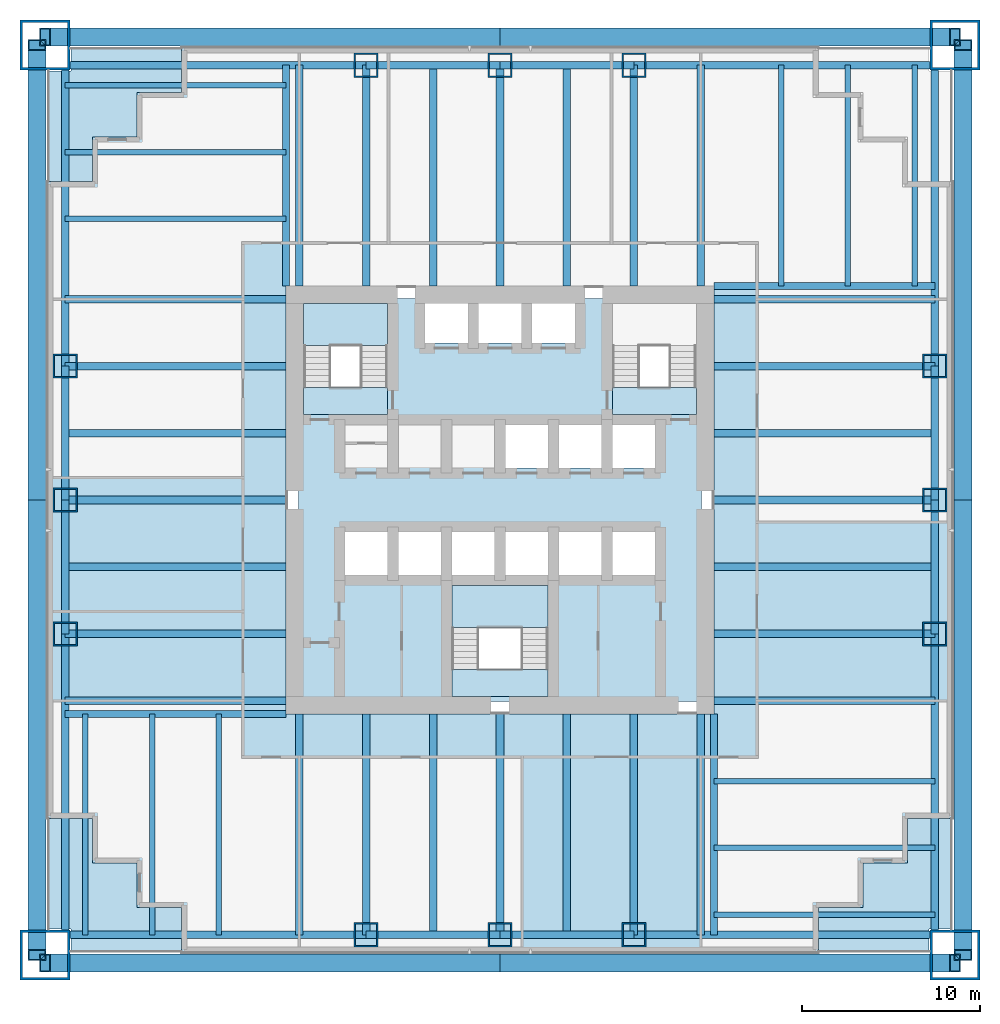
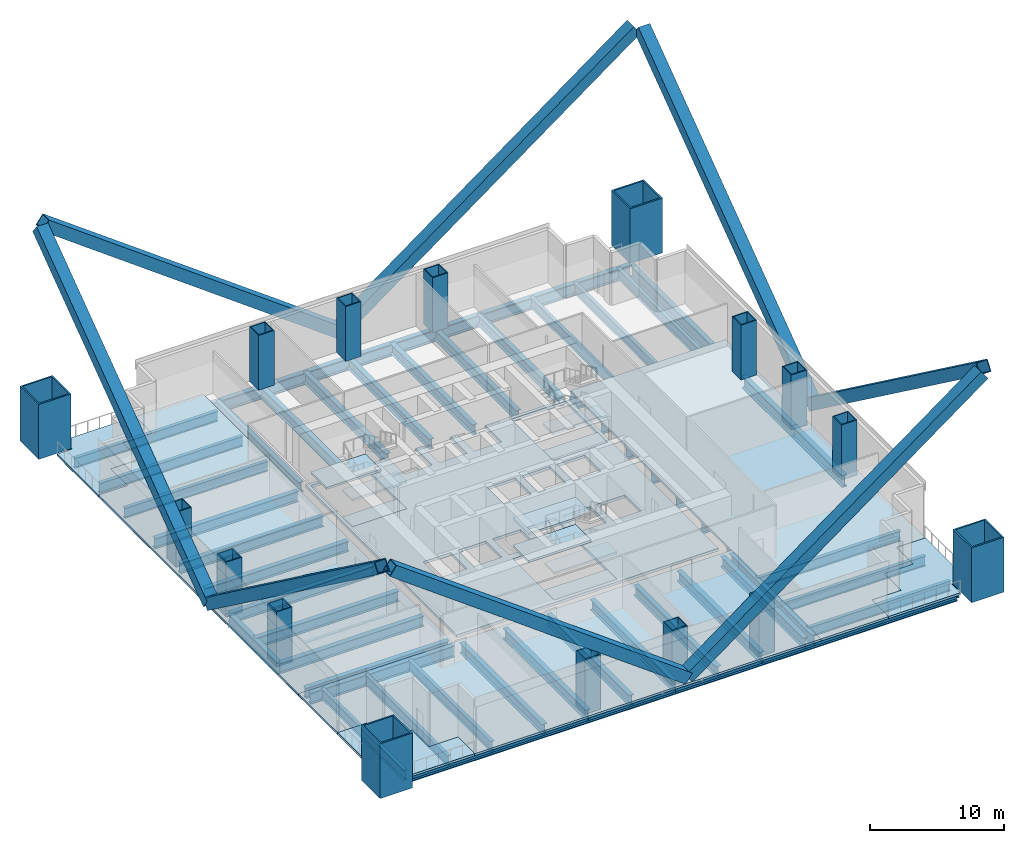
# One storey, part 1 of 7: 60 beams, 16 columns, 16 slabs, 8 members, 3 elements without a shape of their own.
"""IFC4 building model written with IfcOpenShell, lengths in metres."""

from ifc_helpers import new_model, si_unit, direction, frame, origin, origin_2d, place, context, subcontext, project, spatial, polyline, hollow_rectangle, i_section, outline, extrude, material, layer, layer_set, material_profile, profile_set, type_object, element, aggregate, save


model = new_model("IFC4")

# Units and contexts
model_context = context("Model", 3, precision=1e-05, world=origin(), true_north=direction((0.0, 1.0)))
body_context = subcontext(model_context, "Body", "Model", "MODEL_VIEW")
ifc_project = project(units=[si_unit("LENGTHUNIT", "METRE"), si_unit("AREAUNIT", "SQUARE_METRE"), si_unit("VOLUMEUNIT", "CUBIC_METRE"), si_unit("PLANEANGLEUNIT", "RADIAN"), si_unit("MASSUNIT", "GRAM", prefix="KILO")], contexts=[model_context])

# Site, building, storey
site_placement = place(None, origin())
site = spatial("IfcSite", under=ifc_project, at=site_placement, CompositionType="ELEMENT")
building_placement = place(site_placement, origin())
building = spatial("IfcBuilding", under=site, at=building_placement, Name="Tarangal Relay Tower", CompositionType="ELEMENT")
storey_placement = place(building_placement, frame((0.0, 0.0, 78.39990234375)))
storey = spatial("IfcBuildingStorey", under=building, at=storey_placement, Name="L15", CompositionType="ELEMENT", Elevation=78.39990234375)

# Columns
ifc_material_1 = material(Name="Steel ASTM A572 Grade 42", Category="steel")
ifc_material_profile_1 = material_profile(ifc_material_1, hollow_rectangle(XDim=2.800048828125, YDim=2.800048828125, WallThickness=0.139892578125, at=origin_2d()), Name="BOX2800X2800X140")
ifc_profile_set_1 = profile_set([ifc_material_profile_1], Name="Steel ASTM A572 Grade 42")
column_type_1 = type_object("IfcColumnType", Name="Mega column BOX2800X2800X140", PredefinedType="COLUMN", material=ifc_profile_set_1)
for number, where, z_axis, x_axis, name in (
    (1, (25.5, 25.5, 0.0), (0.0, 0.0, 1.0), (1.0, 0.0, 0.0), "Mega column MC1 NE L15"),
    (2, (25.5, -25.5, 0.0), (0.0, 0.0, 1.0), (1.0, 0.0, 0.0), "Mega column MC1 SE L15"),
    (3, (-25.5, -25.5, 0.0), (0.0, 0.0, 1.0), (1.0, 0.0, 0.0), "Mega column MC1 SW L15"),
    (4, (-25.5, 25.5, 0.0), (0.0, 0.0, 1.0), (1.0, 0.0, 0.0), "Mega column MC1 NW L15"),
):
    element("IfcColumn", number, at=place(storey_placement, frame(where, z_axis=z_axis, x_axis=x_axis)), inside=storey, type_object=column_type_1, Name=name, PredefinedType="COLUMN", context=body_context, shape_type="SweptSolid", body=[
        extrude(hollow_rectangle(XDim=2.800048828125, YDim=2.800048828125, WallThickness=0.139892578125, at=origin_2d()), origin(), (0.0, 0.0, 1.0), 5.0),
    ])
ifc_material_2 = material(Name="Steel ASTM A572 Grade 50", Category="steel")
ifc_material_profile_2 = material_profile(ifc_material_2, hollow_rectangle(XDim=1.35009765625, YDim=1.35009765625, WallThickness=0.0849609375, at=origin_2d()), Name="BOX1350X1350X85")
ifc_profile_set_2 = profile_set([ifc_material_profile_2], Name="Steel ASTM A572 Grade 50")
column_type_2 = type_object("IfcColumnType", Name="Perimeter column BOX1350X1350X85", PredefinedType="COLUMN", material=ifc_profile_set_2)
for number, where, z_axis, x_axis, name in (
    (5, (-7.5, 24.364990234375, 0.0), (0.0, 0.0, 1.0), (1.0, 0.0, 0.0), "Perimeter column PC2 N L15"),
    (6, (0.0, 24.364990234375, 0.0), (0.0, 0.0, 1.0), (1.0, 0.0, 0.0), "Perimeter column PC2 N L15"),
    (7, (7.5, 24.364990234375, 0.0), (0.0, 0.0, 1.0), (1.0, 0.0, 0.0), "Perimeter column PC2 N L15"),
    (8, (24.364990234375, 7.5, 0.0), (0.0, 0.0, 1.0), (1.0, 0.0, 0.0), "Perimeter column PC2 E L15"),
    (9, (24.364990234375, 0.0, 0.0), (0.0, 0.0, 1.0), (1.0, 0.0, 0.0), "Perimeter column PC2 E L15"),
    (10, (24.364990234375, -7.5, 0.0), (0.0, 0.0, 1.0), (1.0, 0.0, 0.0), "Perimeter column PC2 E L15"),
    (11, (7.5, -24.364990234375, 0.0), (0.0, 0.0, 1.0), (1.0, 0.0, 0.0), "Perimeter column PC2 S L15"),
    (12, (0.0, -24.364990234375, 0.0), (0.0, 0.0, 1.0), (1.0, 0.0, 0.0), "Perimeter column PC2 S L15"),
    (13, (-7.5, -24.364990234375, 0.0), (0.0, 0.0, 1.0), (1.0, 0.0, 0.0), "Perimeter column PC2 S L15"),
    (14, (-24.364990234375, -7.5, 0.0), (0.0, 0.0, 1.0), (1.0, 0.0, 0.0), "Perimeter column PC2 W L15"),
    (15, (-24.364990234375, 0.0, 0.0), (0.0, 0.0, 1.0), (1.0, 0.0, 0.0), "Perimeter column PC2 W L15"),
    (16, (-24.364990234375, 7.5, 0.0), (0.0, 0.0, 1.0), (1.0, 0.0, 0.0), "Perimeter column PC2 W L15"),
):
    element("IfcColumn", number, at=place(storey_placement, frame(where, z_axis=z_axis, x_axis=x_axis)), inside=storey, type_object=column_type_2, Name=name, PredefinedType="COLUMN", context=body_context, shape_type="SweptSolid", body=[
        extrude(hollow_rectangle(XDim=1.35009765625, YDim=1.35009765625, WallThickness=0.0849609375, at=origin_2d()), origin(), (0.0, 0.0, 1.0), 5.0),
    ])

# Beams
ifc_material_3 = material(Name="Steel ASTM A992", Category="steel")
ifc_material_profile_3 = material_profile(ifc_material_3, i_section(OverallWidth=0.307373046875, OverallDepth=0.927001953125, WebThickness=0.019287109375, FlangeThickness=0.031982421875, at=origin_2d()), Name="W36X194")
ifc_profile_set_3 = profile_set([ifc_material_profile_3], Name="Steel ASTM A992")
beam_type_1 = type_object("IfcBeamType", Name="Corner beam W36X194", PredefinedType="JOIST", material=ifc_profile_set_3)
for number, where, z_axis, x_axis, name in (
    (17, (15.75, 12.0, -0.663330078125), (0.0, 1.0, 0.0), (-1.0, 0.0, 0.0), "Corner beam CB10 N L15"),
    (18, (19.5, 12.0, -0.663330078125), (0.0, 1.0, 0.0), (-1.0, 0.0, 0.0), "Corner beam CB10 N L15"),
    (19, (23.25, 12.0, -0.663330078125), (0.0, 1.0, 0.0), (-1.0, 0.0, 0.0), "Corner beam CB10 N L15"),
    (20, (12.0, -15.75, -0.663330078125), (1.0, 0.0, 0.0), (0.0, 1.0, 0.0), "Corner beam CB10 E L15"),
    (21, (12.0, -19.5, -0.663330078125), (1.0, 0.0, 0.0), (0.0, 1.0, 0.0), "Corner beam CB10 E L15"),
    (22, (12.0, -23.25, -0.663330078125), (1.0, 0.0, 0.0), (0.0, 1.0, 0.0), "Corner beam CB10 E L15"),
    (23, (-15.75, -12.0, -0.663330078125), (0.0, -1.0, 0.0), (1.0, 0.0, 0.0), "Corner beam CB10 S L15"),
    (24, (-19.5, -12.0, -0.663330078125), (0.0, -1.0, 0.0), (1.0, 0.0, 0.0), "Corner beam CB10 S L15"),
    (25, (-23.25, -12.0, -0.663330078125), (0.0, -1.0, 0.0), (1.0, 0.0, 0.0), "Corner beam CB10 S L15"),
    (26, (-12.0, 15.75, -0.663330078125), (-1.0, 0.0, 0.0), (0.0, -1.0, 0.0), "Corner beam CB10 W L15"),
    (27, (-12.0, 19.5, -0.663330078125), (-1.0, 0.0, 0.0), (0.0, -1.0, 0.0), "Corner beam CB10 W L15"),
    (28, (-12.0, 23.25, -0.663330078125), (-1.0, 0.0, 0.0), (0.0, -1.0, 0.0), "Corner beam CB10 W L15"),
):
    element("IfcBeam", number, at=place(storey_placement, frame(where, z_axis=z_axis, x_axis=x_axis)), inside=storey, type_object=beam_type_1, Name=name, PredefinedType="JOIST", context=body_context, shape_type="SweptSolid", body=[
        extrude(i_section(OverallWidth=0.307373046875, OverallDepth=0.927001953125, WebThickness=0.019287109375, FlangeThickness=0.031982421875, at=origin_2d()), origin(), (0.0, 0.0, 1.0), 12.364990234375),
    ])
ifc_material_profile_4 = material_profile(ifc_material_3, i_section(OverallWidth=0.40380859375, OverallDepth=1.036376953125, WebThickness=0.031005859375, FlangeThickness=0.0458984375, at=origin_2d()), Name="W40X331")
ifc_profile_set_4 = profile_set([ifc_material_profile_4], Name="Steel ASTM A992")
beam_type_2 = type_object("IfcBeamType", Name="Corner girder W40X331", PredefinedType="BEAM", material=ifc_profile_set_4)
for number, where, z_axis, x_axis, name in (
    (29, (12.0, 12.0, -0.718017578125), (1.0, 0.0, 0.0), (0.0, 1.0, 0.0), "Corner girder CG2 N L15"),
    (30, (12.0, -12.0, -0.718017578125), (0.0, -1.0, 0.0), (1.0, 0.0, 0.0), "Corner girder CG2 E L15"),
    (31, (-12.0, -12.0, -0.718017578125), (-1.0, 0.0, 0.0), (0.0, -1.0, 0.0), "Corner girder CG2 S L15"),
    (32, (-12.0, 12.0, -0.718017578125), (0.0, 1.0, 0.0), (-1.0, 0.0, 0.0), "Corner girder CG2 W L15"),
):
    element("IfcBeam", number, at=place(storey_placement, frame(where, z_axis=z_axis, x_axis=x_axis)), inside=storey, type_object=beam_type_2, Name=name, PredefinedType="BEAM", context=body_context, shape_type="SweptSolid", body=[
        extrude(i_section(OverallWidth=0.40380859375, OverallDepth=1.036376953125, WebThickness=0.031005859375, FlangeThickness=0.0458984375, at=origin_2d()), origin(), (0.0, 0.0, 1.0), 12.364990234375),
    ])
ifc_material_profile_5 = material_profile(ifc_material_3, i_section(OverallWidth=0.42431640625, OverallDepth=1.09228515625, WebThickness=0.04541015625, FlangeThickness=0.08203125, at=origin_2d()), Name="W40X593")
ifc_profile_set_5 = profile_set([ifc_material_profile_5], Name="Steel ASTM A992")
beam_type_3 = type_object("IfcBeamType", Name="Edge girder W40X593", PredefinedType="SPANDREL", material=ifc_profile_set_5)
beam_1_placement = place(storey_placement, frame((-24.25, 24.364990234375, -0.74609375), z_axis=(1.0, 0.0, 0.0), x_axis=(0.0, 1.0, 0.0)))
element("IfcBeam", 33, at=beam_1_placement, inside=storey, type_object=beam_type_3, Name="Edge girder EG9 N L15", PredefinedType="SPANDREL", context=body_context, shape_type="SweptSolid", body=[
    extrude(i_section(OverallWidth=0.42431640625, OverallDepth=1.09228515625, WebThickness=0.04541015625, FlangeThickness=0.08203125, at=origin_2d()), origin(), (0.0, 0.0, 1.0), 16.75),
])
for number, where, z_axis, x_axis, name in (
    (34, (-7.5, 24.364990234375, -0.74609375), (1.0, 0.0, 0.0), (0.0, 1.0, 0.0), "Edge girder EG9 N L15"),
    (35, (0.0, 24.364990234375, -0.74609375), (1.0, 0.0, 0.0), (0.0, 1.0, 0.0), "Edge girder EG9 N L15"),
):
    element("IfcBeam", number, at=place(storey_placement, frame(where, z_axis=z_axis, x_axis=x_axis)), inside=storey, type_object=beam_type_3, Name=name, PredefinedType="SPANDREL", context=body_context, shape_type="SweptSolid", body=[
        extrude(i_section(OverallWidth=0.42431640625, OverallDepth=1.09228515625, WebThickness=0.04541015625, FlangeThickness=0.08203125, at=origin_2d()), origin(), (0.0, 0.0, 1.0), 7.5),
    ])
for number, where, z_axis, x_axis, name in (
    (36, (7.5, 24.364990234375, -0.74609375), (1.0, 0.0, 0.0), (0.0, 1.0, 0.0), "Edge girder EG9 N L15"),
    (37, (24.364990234375, 24.25, -0.74609375), (0.0, -1.0, 0.0), (1.0, 0.0, 0.0), "Edge girder EG9 E L15"),
):
    element("IfcBeam", number, at=place(storey_placement, frame(where, z_axis=z_axis, x_axis=x_axis)), inside=storey, type_object=beam_type_3, Name=name, PredefinedType="SPANDREL", context=body_context, shape_type="SweptSolid", body=[
        extrude(i_section(OverallWidth=0.42431640625, OverallDepth=1.09228515625, WebThickness=0.04541015625, FlangeThickness=0.08203125, at=origin_2d()), origin(), (0.0, 0.0, 1.0), 16.75),
    ])
for number, where, z_axis, x_axis, name in (
    (38, (24.364990234375, 7.5, -0.74609375), (0.0, -1.0, 0.0), (1.0, 0.0, 0.0), "Edge girder EG9 E L15"),
    (39, (24.364990234375, 0.0, -0.74609375), (0.0, -1.0, 0.0), (1.0, 0.0, 0.0), "Edge girder EG9 E L15"),
):
    element("IfcBeam", number, at=place(storey_placement, frame(where, z_axis=z_axis, x_axis=x_axis)), inside=storey, type_object=beam_type_3, Name=name, PredefinedType="SPANDREL", context=body_context, shape_type="SweptSolid", body=[
        extrude(i_section(OverallWidth=0.42431640625, OverallDepth=1.09228515625, WebThickness=0.04541015625, FlangeThickness=0.08203125, at=origin_2d()), origin(), (0.0, 0.0, 1.0), 7.5),
    ])
for number, where, z_axis, x_axis, name in (
    (40, (24.364990234375, -7.5, -0.74609375), (0.0, -1.0, 0.0), (1.0, 0.0, 0.0), "Edge girder EG9 E L15"),
    (41, (24.25, -24.364990234375, -0.74609375), (-1.0, 0.0, 0.0), (0.0, -1.0, 0.0), "Edge girder EG9 S L15"),
):
    element("IfcBeam", number, at=place(storey_placement, frame(where, z_axis=z_axis, x_axis=x_axis)), inside=storey, type_object=beam_type_3, Name=name, PredefinedType="SPANDREL", context=body_context, shape_type="SweptSolid", body=[
        extrude(i_section(OverallWidth=0.42431640625, OverallDepth=1.09228515625, WebThickness=0.04541015625, FlangeThickness=0.08203125, at=origin_2d()), origin(), (0.0, 0.0, 1.0), 16.75),
    ])
for number, where, z_axis, x_axis, name in (
    (42, (7.5, -24.364990234375, -0.74609375), (-1.0, 0.0, 0.0), (0.0, -1.0, 0.0), "Edge girder EG9 S L15"),
    (43, (0.0, -24.364990234375, -0.74609375), (-1.0, 0.0, 0.0), (0.0, -1.0, 0.0), "Edge girder EG9 S L15"),
):
    element("IfcBeam", number, at=place(storey_placement, frame(where, z_axis=z_axis, x_axis=x_axis)), inside=storey, type_object=beam_type_3, Name=name, PredefinedType="SPANDREL", context=body_context, shape_type="SweptSolid", body=[
        extrude(i_section(OverallWidth=0.42431640625, OverallDepth=1.09228515625, WebThickness=0.04541015625, FlangeThickness=0.08203125, at=origin_2d()), origin(), (0.0, 0.0, 1.0), 7.5),
    ])
for number, where, z_axis, x_axis, name in (
    (44, (-7.5, -24.364990234375, -0.74609375), (-1.0, 0.0, 0.0), (0.0, -1.0, 0.0), "Edge girder EG9 S L15"),
    (45, (-24.364990234375, -24.25, -0.74609375), (0.0, 1.0, 0.0), (-1.0, 0.0, 0.0), "Edge girder EG9 W L15"),
):
    element("IfcBeam", number, at=place(storey_placement, frame(where, z_axis=z_axis, x_axis=x_axis)), inside=storey, type_object=beam_type_3, Name=name, PredefinedType="SPANDREL", context=body_context, shape_type="SweptSolid", body=[
        extrude(i_section(OverallWidth=0.42431640625, OverallDepth=1.09228515625, WebThickness=0.04541015625, FlangeThickness=0.08203125, at=origin_2d()), origin(), (0.0, 0.0, 1.0), 16.75),
    ])
for number, where, z_axis, x_axis, name in (
    (46, (-24.364990234375, -7.5, -0.74609375), (0.0, 1.0, 0.0), (-1.0, 0.0, 0.0), "Edge girder EG9 W L15"),
    (47, (-24.364990234375, 0.0, -0.74609375), (0.0, 1.0, 0.0), (-1.0, 0.0, 0.0), "Edge girder EG9 W L15"),
):
    element("IfcBeam", number, at=place(storey_placement, frame(where, z_axis=z_axis, x_axis=x_axis)), inside=storey, type_object=beam_type_3, Name=name, PredefinedType="SPANDREL", context=body_context, shape_type="SweptSolid", body=[
        extrude(i_section(OverallWidth=0.42431640625, OverallDepth=1.09228515625, WebThickness=0.04541015625, FlangeThickness=0.08203125, at=origin_2d()), origin(), (0.0, 0.0, 1.0), 7.5),
    ])
beam_2_placement = place(storey_placement, frame((-24.364990234375, 7.5, -0.74609375), z_axis=(0.0, 1.0, 0.0), x_axis=(-1.0, 0.0, 0.0)))
element("IfcBeam", 48, at=beam_2_placement, inside=storey, type_object=beam_type_3, Name="Edge girder EG9 W L15", PredefinedType="SPANDREL", context=body_context, shape_type="SweptSolid", body=[
    extrude(i_section(OverallWidth=0.42431640625, OverallDepth=1.09228515625, WebThickness=0.04541015625, FlangeThickness=0.08203125, at=origin_2d()), origin(), (0.0, 0.0, 1.0), 16.75),
])
ifc_material_profile_6 = material_profile(ifc_material_3, i_section(OverallWidth=0.42431640625, OverallDepth=0.947509765625, WebThickness=0.02392578125, FlangeThickness=0.042724609375, at=origin_2d()), Name="W36X302")
ifc_profile_set_6 = profile_set([ifc_material_profile_6], Name="Steel ASTM A992")
beam_type_4 = type_object("IfcBeamType", Name="Floor beam W36X302", PredefinedType="BEAM", material=ifc_profile_set_6)
for number, where, z_axis, x_axis, name in (
    (49, (-11.25, 12.0, -0.673583984375), (0.0, 1.0, 0.0), (-1.0, 0.0, 0.0), "Floor beam RB10 N L15"),
    (50, (-7.5, 12.0, -0.673583984375), (0.0, 1.0, 0.0), (-1.0, 0.0, 0.0), "Floor beam RB10 N L15"),
    (51, (-3.75, 12.0, -0.673583984375), (0.0, 1.0, 0.0), (-1.0, 0.0, 0.0), "Floor beam RB10 N L15"),
    (52, (0.0, 12.0, -0.673583984375), (0.0, 1.0, 0.0), (-1.0, 0.0, 0.0), "Floor beam RB10 N L15"),
    (53, (3.75, 12.0, -0.673583984375), (0.0, 1.0, 0.0), (-1.0, 0.0, 0.0), "Floor beam RB10 N L15"),
    (54, (7.5, 12.0, -0.673583984375), (0.0, 1.0, 0.0), (-1.0, 0.0, 0.0), "Floor beam RB10 N L15"),
    (55, (11.25, 12.0, -0.673583984375), (0.0, 1.0, 0.0), (-1.0, 0.0, 0.0), "Floor beam RB10 N L15"),
    (56, (12.0, 11.25, -0.673583984375), (1.0, 0.0, 0.0), (0.0, 1.0, 0.0), "Floor beam RB10 E L15"),
    (57, (12.0, 7.5, -0.673583984375), (1.0, 0.0, 0.0), (0.0, 1.0, 0.0), "Floor beam RB10 E L15"),
    (58, (12.0, 3.75, -0.673583984375), (1.0, 0.0, 0.0), (0.0, 1.0, 0.0), "Floor beam RB10 E L15"),
    (59, (12.0, 0.0, -0.673583984375), (1.0, 0.0, 0.0), (0.0, 1.0, 0.0), "Floor beam RB10 E L15"),
    (60, (12.0, -3.75, -0.673583984375), (1.0, 0.0, 0.0), (0.0, 1.0, 0.0), "Floor beam RB10 E L15"),
    (61, (12.0, -7.5, -0.673583984375), (1.0, 0.0, 0.0), (0.0, 1.0, 0.0), "Floor beam RB10 E L15"),
    (62, (12.0, -11.25, -0.673583984375), (1.0, 0.0, 0.0), (0.0, 1.0, 0.0), "Floor beam RB10 E L15"),
    (63, (11.25, -12.0, -0.673583984375), (0.0, -1.0, 0.0), (1.0, 0.0, 0.0), "Floor beam RB10 S L15"),
    (64, (7.5, -12.0, -0.673583984375), (0.0, -1.0, 0.0), (1.0, 0.0, 0.0), "Floor beam RB10 S L15"),
    (65, (3.75, -12.0, -0.673583984375), (0.0, -1.0, 0.0), (1.0, 0.0, 0.0), "Floor beam RB10 S L15"),
    (66, (0.0, -12.0, -0.673583984375), (0.0, -1.0, 0.0), (1.0, 0.0, 0.0), "Floor beam RB10 S L15"),
    (67, (-3.75, -12.0, -0.673583984375), (0.0, -1.0, 0.0), (1.0, 0.0, 0.0), "Floor beam RB10 S L15"),
    (68, (-7.5, -12.0, -0.673583984375), (0.0, -1.0, 0.0), (1.0, 0.0, 0.0), "Floor beam RB10 S L15"),
    (69, (-11.25, -12.0, -0.673583984375), (0.0, -1.0, 0.0), (1.0, 0.0, 0.0), "Floor beam RB10 S L15"),
    (70, (-12.0, -11.25, -0.673583984375), (-1.0, 0.0, 0.0), (0.0, -1.0, 0.0), "Floor beam RB10 W L15"),
    (71, (-12.0, -7.5, -0.673583984375), (-1.0, 0.0, 0.0), (0.0, -1.0, 0.0), "Floor beam RB10 W L15"),
    (72, (-12.0, -3.75, -0.673583984375), (-1.0, 0.0, 0.0), (0.0, -1.0, 0.0), "Floor beam RB10 W L15"),
    (73, (-12.0, 0.0, -0.673583984375), (-1.0, 0.0, 0.0), (0.0, -1.0, 0.0), "Floor beam RB10 W L15"),
    (74, (-12.0, 3.75, -0.673583984375), (-1.0, 0.0, 0.0), (0.0, -1.0, 0.0), "Floor beam RB10 W L15"),
    (75, (-12.0, 7.5, -0.673583984375), (-1.0, 0.0, 0.0), (0.0, -1.0, 0.0), "Floor beam RB10 W L15"),
    (76, (-12.0, 11.25, -0.673583984375), (-1.0, 0.0, 0.0), (0.0, -1.0, 0.0), "Floor beam RB10 W L15"),
):
    element("IfcBeam", number, at=place(storey_placement, frame(where, z_axis=z_axis, x_axis=x_axis)), inside=storey, type_object=beam_type_4, Name=name, PredefinedType="BEAM", context=body_context, shape_type="SweptSolid", body=[
        extrude(i_section(OverallWidth=0.42431640625, OverallDepth=0.947509765625, WebThickness=0.02392578125, FlangeThickness=0.042724609375, at=origin_2d()), origin(), (0.0, 0.0, 1.0), 12.364990234375),
    ])

# Members
ifc_material_profile_7 = material_profile(ifc_material_2, hollow_rectangle(XDim=1.0, YDim=1.0, WallThickness=0.06005859375, at=origin_2d()), Name="BOX1000X1000X60")
ifc_profile_set_7 = profile_set([ifc_material_profile_7], Name="Steel ASTM A572 Grade 50")
member_type = type_object("IfcMemberType", Name="Mega brace BOX1000X1000X60", PredefinedType="BRACE", material=ifc_profile_set_7)
for number, where, z_axis, x_axis, name in (
    (77, (0.0, 25.949951171875, 1.25), (0.805651012649, 0.0, 0.592390450478), (0.0, 1.0, 0.0), "Mega brace MB1 N face module 2"),
    (78, (0.0, 25.949951171875, 1.25), (-0.805651012649, 0.0, 0.592390450478), (0.0, -1.0, 0.0), "Mega brace MB1 N face module 2"),
    (79, (25.949951171875, 0.0, 1.25), (0.0, -0.805651012649, 0.592390450478), (1.0, 0.0, 0.0), "Mega brace MB1 E face module 2"),
    (80, (25.949951171875, 0.0, 1.25), (0.0, 0.805651012649, 0.592390450478), (-1.0, 0.0, 0.0), "Mega brace MB1 E face module 2"),
    (81, (0.0, -25.949951171875, 1.25), (-0.805651012649, 0.0, 0.592390450478), (0.0, -1.0, 0.0), "Mega brace MB1 S face module 2"),
    (82, (0.0, -25.949951171875, 1.25), (0.805651012649, 0.0, 0.592390450478), (0.0, 1.0, 0.0), "Mega brace MB1 S face module 2"),
    (83, (-25.949951171875, 0.0, 1.25), (0.0, 0.805651012649, 0.592390450478), (-1.0, 0.0, 0.0), "Mega brace MB1 W face module 2"),
    (84, (-25.949951171875, 0.0, 1.25), (0.0, -0.805651012649, 0.592390450478), (1.0, 0.0, 0.0), "Mega brace MB1 W face module 2"),
):
    element("IfcMember", number, at=place(storey_placement, frame(where, z_axis=z_axis, x_axis=x_axis)), inside=storey, type_object=member_type, Name=name, PredefinedType="BRACE", context=body_context, shape_type="SweptSolid", body=[
        extrude(hollow_rectangle(XDim=1.0, YDim=1.0, WallThickness=0.06005859375, at=origin_2d()), origin(), (0.0, 0.0, 1.0), 31.6513671875),
    ])

# Slabs
ifc_material_4 = material(Name="Concrete fc' 35 MPa", Category="concrete")
ifc_layer_1 = layer(ifc_material_4, 0.25)
ifc_layer_set_1 = layer_set([ifc_layer_1], Name="Core floor slab 250")
slab_type_1 = type_object("IfcSlabType", Name="Core floor slab 250", PredefinedType="FLOOR", material=ifc_layer_set_1)
slab_1_placement = place(storey_placement, frame((0.0, 0.0, -0.25)))
element("IfcSlab", 85, at=slab_1_placement, inside=storey, type_object=slab_type_1, Name="Core floor slab L15", PredefinedType="FLOOR", context=body_context, shape_type="SweptSolid", body=[
    extrude(outline(polyline([(11.300048828125, 11.300048828125), (11.300048828125, -11.300048828125), (-11.300048828125, -11.300048828125), (-11.300048828125, 11.300048828125), (-4.199951171875, 11.300048828125), (-4.199951171875, 8.800048828125), (-1.800048828125, 8.800048828125), (-1.800048828125, 11.300048828125), (-1.199951171875, 11.300048828125), (-1.199951171875, 8.800048828125), (1.199951171875, 8.800048828125), (1.199951171875, 11.300048828125), (1.800048828125, 11.300048828125), (1.800048828125, 8.800048828125), (4.199951171875, 8.800048828125), (4.199951171875, 11.300048828125), (11.300048828125, 11.300048828125)]), holes=[polyline([(2.699951171875, -4.800048828125), (-2.699951171875, -4.800048828125), (-2.699951171875, -11.0), (2.699951171875, -11.0), (2.699951171875, -4.800048828125)]), polyline([(-6.300048828125, -4.199951171875), (-6.300048828125, -1.800048828125), (-8.699951171875, -1.800048828125), (-8.699951171875, -4.199951171875), (-6.300048828125, -4.199951171875)]), polyline([(-3.300048828125, -4.199951171875), (-3.300048828125, -1.800048828125), (-5.699951171875, -1.800048828125), (-5.699951171875, -4.199951171875), (-3.300048828125, -4.199951171875)]), polyline([(-0.300048828125, -4.199951171875), (-0.300048828125, -1.800048828125), (-2.699951171875, -1.800048828125), (-2.699951171875, -4.199951171875), (-0.300048828125, -4.199951171875)]), polyline([(2.699951171875, 1.800048828125), (2.699951171875, 4.199951171875), (0.300048828125, 4.199951171875), (0.300048828125, 1.800048828125), (2.699951171875, 1.800048828125)]), polyline([(-6.300048828125, 4.800048828125), (-6.300048828125, 11.0), (-11.0, 11.0), (-11.0, 4.800048828125), (-6.300048828125, 4.800048828125)]), polyline([(2.699951171875, -4.199951171875), (2.699951171875, -1.800048828125), (0.300048828125, -1.800048828125), (0.300048828125, -4.199951171875), (2.699951171875, -4.199951171875)]), polyline([(5.699951171875, -4.199951171875), (5.699951171875, -1.800048828125), (3.300048828125, -1.800048828125), (3.300048828125, -4.199951171875), (5.699951171875, -4.199951171875)]), polyline([(8.699951171875, -4.199951171875), (8.699951171875, -1.800048828125), (6.300048828125, -1.800048828125), (6.300048828125, -4.199951171875), (8.699951171875, -4.199951171875)]), polyline([(5.699951171875, 1.800048828125), (5.699951171875, 4.199951171875), (3.300048828125, 4.199951171875), (3.300048828125, 1.800048828125), (5.699951171875, 1.800048828125)]), polyline([(8.699951171875, 1.800048828125), (8.699951171875, 4.199951171875), (6.300048828125, 4.199951171875), (6.300048828125, 1.800048828125), (8.699951171875, 1.800048828125)]), polyline([(11.0, 4.800048828125), (11.0, 11.0), (6.300048828125, 11.0), (6.300048828125, 4.800048828125), (11.0, 4.800048828125)])]), origin(), (0.0, 0.0, 1.0), 0.25),
])
ifc_layer_2 = layer(ifc_material_4, 0.199951171875)
ifc_layer_set_2 = layer_set([ifc_layer_2], Name="Floor slab 200")
slab_type_2 = type_object("IfcSlabType", Name="Floor slab 200", PredefinedType="FLOOR", material=ifc_layer_set_2)
slab_2_placement = place(storey_placement, frame((0.0, 0.0, -0.199951171875)))
element("IfcSlab", 86, at=slab_2_placement, inside=storey, type_object=slab_type_2, Name="Floor slab FS2 L15 east bay", PredefinedType="FLOOR", context=body_context, shape_type="SweptSolid", body=[
    extrude(outline(polyline([(25.35009765625, -17.85009765625), (22.85009765625, -17.85009765625), (22.85009765625, -20.35009765625), (20.35009765625, -20.35009765625), (20.35009765625, -22.85009765625), (17.85009765625, -22.85009765625), (17.85009765625, -25.35009765625), (12.0, -25.35009765625), (12.0, 12.0), (25.35009765625, 12.0), (25.35009765625, -17.85009765625)])), origin(), (0.0, 0.0, 1.0), 0.199951171875),
])
slab_3_placement = place(storey_placement, frame((0.0, 0.0, -0.199951171875)))
element("IfcSlab", 87, at=slab_3_placement, inside=storey, type_object=slab_type_2, Name="Floor slab FS2 L15 south bay", PredefinedType="FLOOR", context=body_context, shape_type="SweptSolid", body=[
    extrude(outline(polyline([(-17.85009765625, -25.35009765625), (-17.85009765625, -22.85009765625), (-20.35009765625, -22.85009765625), (-20.35009765625, -20.35009765625), (-22.85009765625, -20.35009765625), (-22.85009765625, -17.85009765625), (-25.35009765625, -17.85009765625), (-25.35009765625, -12.0), (12.0, -12.0), (12.0, -25.35009765625), (-17.85009765625, -25.35009765625)])), origin(), (0.0, 0.0, 1.0), 0.199951171875),
])
slab_4_placement = place(storey_placement, frame((0.0, 0.0, -0.199951171875)))
element("IfcSlab", 88, at=slab_4_placement, inside=storey, type_object=slab_type_2, Name="Floor slab FS2 L15 west bay", PredefinedType="FLOOR", context=body_context, shape_type="SweptSolid", body=[
    extrude(outline(polyline([(-12.0, 25.35009765625), (-12.0, -12.0), (-25.35009765625, -12.0), (-25.35009765625, 17.85009765625), (-22.85009765625, 17.85009765625), (-22.85009765625, 20.35009765625), (-20.35009765625, 20.35009765625), (-20.35009765625, 22.85009765625), (-17.85009765625, 22.85009765625), (-17.85009765625, 25.35009765625), (-12.0, 25.35009765625)])), origin(), (0.0, 0.0, 1.0), 0.199951171875),
])

# Stair, slabs
ifc_material_5 = material(Name="Steel ASTM A992 stair flight", Category="steel")
stair_type = type_object("IfcStairType", Name="Core stair 1500", PredefinedType="HALF_TURN_STAIR", material=ifc_material_5)
stair_1_placement = place(storey_placement, origin())
stair_1 = element("IfcStair", 89, at=stair_1_placement, inside=storey, type_object=stair_type, Name="Stair ST-A L15", PredefinedType="HALF_TURN_STAIR")
ifc_layer_3 = layer(ifc_material_4, 0.199951171875)
ifc_layer_set_3 = layer_set([ifc_layer_3], Name="Stair landing 200")
slab_type_3 = type_object("IfcSlabType", Name="Stair landing 200", PredefinedType="LANDING", material=ifc_layer_set_3)
slab_5_placement = place(storey_placement, frame((0.0, 0.0, -0.199951171875)))
slab_5 = element("IfcSlab", 90, at=slab_5_placement, type_object=slab_type_3, Name="ST-A landing 1", PredefinedType="LANDING", context=body_context, shape_type="SweptSolid", body=[
    extrude(outline(polyline([(-11.0, 4.800048828125), (-6.300048828125, 4.800048828125), (-6.300048828125, 6.300048828125), (-11.0, 6.300048828125), (-11.0, 4.800048828125)])), origin(), (0.0, 0.0, 1.0), 0.199951171875),
])
slab_6_placement = place(storey_placement, frame((0.0, 0.0, 1.050048828125)))
slab_6 = element("IfcSlab", 91, at=slab_6_placement, type_object=slab_type_3, Name="ST-A landing 2", PredefinedType="LANDING", context=body_context, shape_type="SweptSolid", body=[
    extrude(outline(polyline([(-11.0, 8.64501953125), (-6.300048828125, 8.64501953125), (-6.300048828125, 11.0), (-11.0, 11.0), (-11.0, 8.64501953125)])), origin(), (0.0, 0.0, 1.0), 0.199951171875),
])
slab_7_placement = place(storey_placement, frame((0.0, 0.0, 2.300048828125)))
slab_7 = element("IfcSlab", 92, at=slab_7_placement, type_object=slab_type_3, Name="ST-A landing 3", PredefinedType="LANDING", context=body_context, shape_type="SweptSolid", body=[
    extrude(outline(polyline([(-11.0, 4.800048828125), (-6.300048828125, 4.800048828125), (-6.300048828125, 6.300048828125), (-11.0, 6.300048828125), (-11.0, 4.800048828125)])), origin(), (0.0, 0.0, 1.0), 0.199951171875),
])
aggregate(stair_1, [slab_5, slab_6, slab_7])

stair_2_placement = place(storey_placement, origin())
stair_2 = element("IfcStair", 93, at=stair_2_placement, inside=storey, type_object=stair_type, Name="Stair ST-B L15", PredefinedType="HALF_TURN_STAIR")
slab_8_placement = place(storey_placement, frame((0.0, 0.0, -0.199951171875)))
slab_8 = element("IfcSlab", 94, at=slab_8_placement, type_object=slab_type_3, Name="ST-B landing 1", PredefinedType="LANDING", context=body_context, shape_type="SweptSolid", body=[
    extrude(outline(polyline([(6.300048828125, 4.800048828125), (11.0, 4.800048828125), (11.0, 6.300048828125), (6.300048828125, 6.300048828125), (6.300048828125, 4.800048828125)])), origin(), (0.0, 0.0, 1.0), 0.199951171875),
])
slab_9_placement = place(storey_placement, frame((0.0, 0.0, 2.300048828125)))
slab_9 = element("IfcSlab", 95, at=slab_9_placement, type_object=slab_type_3, Name="ST-B landing 3", PredefinedType="LANDING", context=body_context, shape_type="SweptSolid", body=[
    extrude(outline(polyline([(6.300048828125, 4.800048828125), (11.0, 4.800048828125), (11.0, 6.300048828125), (6.300048828125, 6.300048828125), (6.300048828125, 4.800048828125)])), origin(), (0.0, 0.0, 1.0), 0.199951171875),
])
aggregate(stair_2, [slab_8, slab_9])

stair_3_placement = place(storey_placement, origin())
stair_3 = element("IfcStair", 96, at=stair_3_placement, inside=storey, type_object=stair_type, Name="Stair ST-C L15", PredefinedType="HALF_TURN_STAIR")
slab_10_placement = place(storey_placement, frame((0.0, 0.0, -0.199951171875)))
slab_10 = element("IfcSlab", 97, at=slab_10_placement, type_object=slab_type_3, Name="ST-C landing 1", PredefinedType="LANDING", context=body_context, shape_type="SweptSolid", body=[
    extrude(outline(polyline([(-2.699951171875, -11.0), (2.699951171875, -11.0), (2.699951171875, -9.5), (-2.699951171875, -9.5), (-2.699951171875, -11.0)])), origin(), (0.0, 0.0, 1.0), 0.199951171875),
])
slab_11_placement = place(storey_placement, frame((0.0, 0.0, 1.050048828125)))
slab_11 = element("IfcSlab", 98, at=slab_11_placement, type_object=slab_type_3, Name="ST-C landing 2", PredefinedType="LANDING", context=body_context, shape_type="SweptSolid", body=[
    extrude(outline(polyline([(-2.699951171875, -7.155029296875), (2.699951171875, -7.155029296875), (2.699951171875, -4.800048828125), (-2.699951171875, -4.800048828125), (-2.699951171875, -7.155029296875)])), origin(), (0.0, 0.0, 1.0), 0.199951171875),
])
slab_12_placement = place(storey_placement, frame((0.0, 0.0, 2.300048828125)))
slab_12 = element("IfcSlab", 99, at=slab_12_placement, type_object=slab_type_3, Name="ST-C landing 3", PredefinedType="LANDING", context=body_context, shape_type="SweptSolid", body=[
    extrude(outline(polyline([(-2.699951171875, -11.0), (2.699951171875, -11.0), (2.699951171875, -9.5), (-2.699951171875, -9.5), (-2.699951171875, -11.0)])), origin(), (0.0, 0.0, 1.0), 0.199951171875),
])
slab_13_placement = place(storey_placement, frame((0.0, 0.0, 3.550048828125)))
slab_13 = element("IfcSlab", 100, at=slab_13_placement, type_object=slab_type_3, Name="ST-C landing 4", PredefinedType="LANDING", context=body_context, shape_type="SweptSolid", body=[
    extrude(outline(polyline([(-2.699951171875, -7.155029296875), (2.699951171875, -7.155029296875), (2.699951171875, -4.800048828125), (-2.699951171875, -4.800048828125), (-2.699951171875, -7.155029296875)])), origin(), (0.0, 0.0, 1.0), 0.199951171875),
])
aggregate(stair_3, [slab_10, slab_11, slab_12, slab_13])

# Slabs
ifc_layer_4 = layer(ifc_material_4, 0.199951171875)
ifc_layer_set_4 = layer_set([ifc_layer_4], Name="Terrace slab 200")
slab_type_4 = type_object("IfcSlabType", Name="Terrace slab 200", PredefinedType="FLOOR", material=ifc_layer_set_4)
slab_14_placement = place(storey_placement, frame((0.0, 0.0, -0.199951171875)))
element("IfcSlab", 101, at=slab_14_placement, inside=storey, type_object=slab_type_4, Name="Corner terrace SE L15", PredefinedType="FLOOR", context=body_context, shape_type="SweptSolid", body=[
    extrude(outline(polyline([(25.35009765625, -17.85009765625), (22.85009765625, -17.85009765625), (22.85009765625, -20.35009765625), (20.35009765625, -20.35009765625), (20.35009765625, -22.85009765625), (17.85009765625, -22.85009765625), (17.85009765625, -25.35009765625), (24.050048828125, -25.35009765625), (24.050048828125, -24.050048828125), (25.35009765625, -24.050048828125), (25.35009765625, -17.85009765625)])), origin(), (0.0, 0.0, 1.0), 0.199951171875),
])
slab_15_placement = place(storey_placement, frame((0.0, 0.0, -0.199951171875)))
element("IfcSlab", 102, at=slab_15_placement, inside=storey, type_object=slab_type_4, Name="Corner terrace SW L15", PredefinedType="FLOOR", context=body_context, shape_type="SweptSolid", body=[
    extrude(outline(polyline([(-17.85009765625, -25.35009765625), (-17.85009765625, -22.85009765625), (-20.35009765625, -22.85009765625), (-20.35009765625, -20.35009765625), (-22.85009765625, -20.35009765625), (-22.85009765625, -17.85009765625), (-25.35009765625, -17.85009765625), (-25.35009765625, -24.050048828125), (-24.050048828125, -24.050048828125), (-24.050048828125, -25.35009765625), (-17.85009765625, -25.35009765625)])), origin(), (0.0, 0.0, 1.0), 0.199951171875),
])
slab_16_placement = place(storey_placement, frame((0.0, 0.0, -0.199951171875)))
element("IfcSlab", 103, at=slab_16_placement, inside=storey, type_object=slab_type_4, Name="Corner terrace NW L15", PredefinedType="FLOOR", context=body_context, shape_type="SweptSolid", body=[
    extrude(outline(polyline([(-25.35009765625, 17.85009765625), (-22.85009765625, 17.85009765625), (-22.85009765625, 20.35009765625), (-20.35009765625, 20.35009765625), (-20.35009765625, 22.85009765625), (-17.85009765625, 22.85009765625), (-17.85009765625, 25.35009765625), (-24.050048828125, 25.35009765625), (-24.050048828125, 24.050048828125), (-25.35009765625, 24.050048828125), (-25.35009765625, 17.85009765625)])), origin(), (0.0, 0.0, 1.0), 0.199951171875),
])

save(model, "model.ifc")
